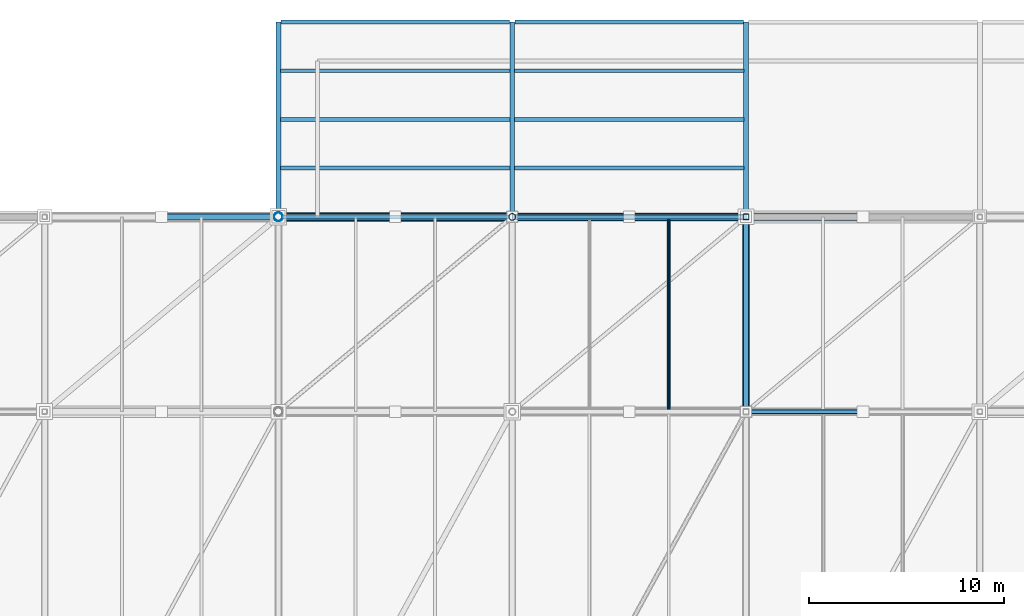
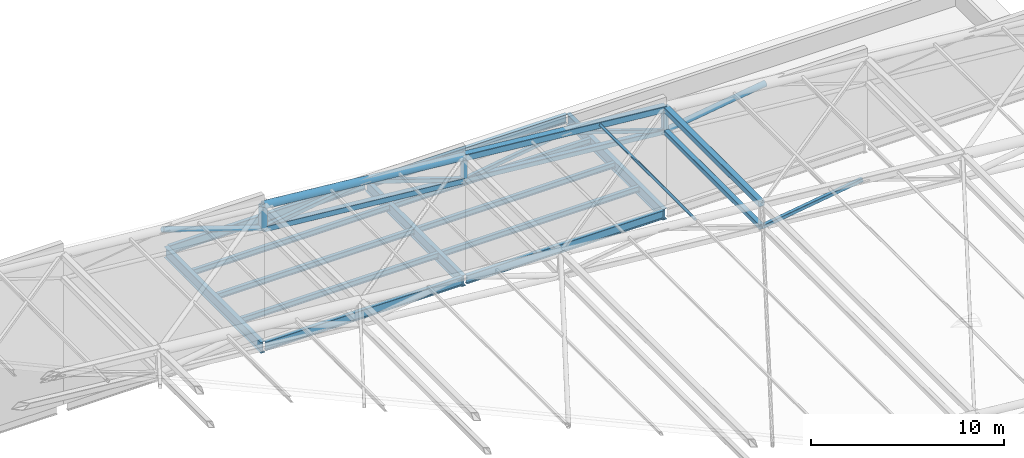
# One storey, part 33 of 44: 17 members, 13 beams.
"""IFC4 building model written with IfcOpenShell, lengths in metres."""

from ifc_helpers import new_model, si_unit, direction, frame, origin, origin_2d, place, context, subcontext, project, spatial, hollow_rectangle, hollow_circle, i_section, extrude, material, material_profile, profile_set, type_object, element, save


model = new_model("IFC4")

# Units and contexts
model_context = context("Model", 3, precision=1e-05, world=origin(), true_north=direction((0.0, 1.0)))
body_context = subcontext(model_context, "Body", "Model", "MODEL_VIEW")
ifc_project = project(units=[si_unit("LENGTHUNIT", "METRE"), si_unit("AREAUNIT", "SQUARE_METRE"), si_unit("VOLUMEUNIT", "CUBIC_METRE"), si_unit("PLANEANGLEUNIT", "RADIAN"), si_unit("MASSUNIT", "GRAM", prefix="KILO")], contexts=[model_context])

# Site, building, storey
site_placement = place(None, origin())
site = spatial("IfcSite", under=ifc_project, at=site_placement, CompositionType="ELEMENT")
building_placement = place(site_placement, origin())
building = spatial("IfcBuilding", under=site, at=building_placement, Name="Brinegate Civic Arena", CompositionType="ELEMENT")
storey_placement = place(building_placement, frame((0.0, 0.0, 29.39990234375)))
storey = spatial("IfcBuildingStorey", under=building, at=storey_placement, Name="RF", CompositionType="ELEMENT", Elevation=29.39990234375)

# Beams
ifc_material = material(Name="Steel S355", Category="steel")
ifc_material_profile_1 = material_profile(ifc_material, i_section(OverallWidth=0.256103515625, OverallDepth=0.693115234375, WebThickness=0.014892578125, FlangeThickness=0.02392578125, FilletRadius=0.01806640625, at=origin_2d()), Name="W690X170")
ifc_profile_set_1 = profile_set([ifc_material_profile_1], Name="Steel S355")
beam_type_1 = type_object("IfcBeamType", Name="GIRDER-W690X170", PredefinedType="BEAM", material=ifc_profile_set_1)
for number, where, z_axis, x_axis, name in (
    (1, (84.0, 114.0, -0.685791015625), (0.0, 1.0, 0.0), (-1.0, 0.0, 0.0), "Portal Roof Girder PGY-01"),
    (2, (96.0, 114.0, -0.685791015625), (0.0, 1.0, 0.0), (-1.0, 0.0, 0.0), "Portal Roof Girder PGY-02"),
    (3, (108.0, 114.0, -0.685791015625), (0.0, 1.0, 0.0), (-1.0, 0.0, 0.0), "Portal Roof Girder PGY-03"),
):
    element("IfcBeam", number, at=place(storey_placement, frame(where, z_axis=z_axis, x_axis=x_axis)), inside=storey, type_object=beam_type_1, Name=name, PredefinedType="BEAM", context=body_context, shape_type="SweptSolid", body=[
        extrude(i_section(OverallWidth=0.256103515625, OverallDepth=0.693115234375, WebThickness=0.014892578125, FlangeThickness=0.02392578125, FilletRadius=0.01806640625, at=origin_2d()), origin(), (0.0, 0.0, 1.0), 10.0),
    ])
ifc_material_profile_2 = material_profile(ifc_material, i_section(OverallWidth=0.202880859375, OverallDepth=0.346923828125, WebThickness=0.008056640625, FlangeThickness=0.013916015625, FilletRadius=0.013916015625, at=origin_2d()), Name="W360X64")
ifc_profile_set_2 = profile_set([ifc_material_profile_2], Name="Steel S355")
beam_type_2 = type_object("IfcBeamType", Name="JOIST-W360X64", PredefinedType="JOIST", material=ifc_profile_set_2)
for number, where, z_axis, x_axis, name in (
    (4, (84.10791015625, 116.5, -0.512939453125), (1.0, 0.0, 0.0), (0.0, 1.0, 0.0), "Portal Roof Joist PJX-08"),
    (5, (84.10791015625, 119.0, -0.512939453125), (1.0, 0.0, 0.0), (0.0, 1.0, 0.0), "Portal Roof Joist PJX-09"),
    (6, (84.10791015625, 121.5, -0.512939453125), (1.0, 0.0, 0.0), (0.0, 1.0, 0.0), "Portal Roof Joist PJX-10"),
    (7, (96.10791015625, 116.5, -0.512939453125), (1.0, 0.0, 0.0), (0.0, 1.0, 0.0), "Portal Roof Joist PJX-13"),
    (8, (96.10791015625, 119.0, -0.512939453125), (1.0, 0.0, 0.0), (0.0, 1.0, 0.0), "Portal Roof Joist PJX-14"),
    (9, (96.10791015625, 121.5, -0.512939453125), (1.0, 0.0, 0.0), (0.0, 1.0, 0.0), "Portal Roof Joist PJX-15"),
):
    element("IfcBeam", number, at=place(storey_placement, frame(where, z_axis=z_axis, x_axis=x_axis)), inside=storey, type_object=beam_type_2, Name=name, PredefinedType="JOIST", context=body_context, shape_type="SweptSolid", body=[
        extrude(i_section(OverallWidth=0.202880859375, OverallDepth=0.346923828125, WebThickness=0.008056640625, FlangeThickness=0.013916015625, FilletRadius=0.013916015625, at=origin_2d()), origin(), (0.0, 0.0, 1.0), 11.7841796875),
    ])

# Members
ifc_material_profile_3 = material_profile(ifc_material, hollow_circle(Radius=0.083984375, WallThickness=0.008056640625, at=origin_2d()), Name="CHS168X8")
ifc_profile_set_3 = profile_set([ifc_material_profile_3], Name="Steel S355")
member_type_1 = type_object("IfcMemberType", Name="RF-PURLIN-CHS168", PredefinedType="PURLIN", material=ifc_profile_set_3)
member_1_placement = place(storey_placement, frame((104.0400390625, 104.0, 6.4521484375), z_axis=(0.0, 1.0, 0.0), x_axis=(-1.0, 0.0, 0.0)))
element("IfcMember", 10, at=member_1_placement, inside=storey, type_object=member_type_1, Name="Roof Purlin RFP-118", PredefinedType="PURLIN", context=body_context, shape_type="SweptSolid", body=[
    extrude(hollow_circle(Radius=0.083984375, WallThickness=0.008056640625, at=origin_2d()), origin(), (0.0, 0.0, 1.0), 10.0),
])
ifc_material_profile_4 = material_profile(ifc_material, hollow_circle(Radius=0.162109375, WallThickness=0.011962890625, at=origin_2d()), Name="CHS324X12")
ifc_profile_set_4 = profile_set([ifc_material_profile_4], Name="Steel S355")
member_type_2 = type_object("IfcMemberType", Name="SF-BRACE-CHS324", PredefinedType="BRACE", material=ifc_profile_set_4)
member_2_placement = place(storey_placement, frame((78.0, 114.0, 8.863037109375), z_axis=(0.948068139281, 0.0, -0.318067293635), x_axis=(0.0, 1.0, 0.0)))
element("IfcMember", 11, at=member_2_placement, inside=storey, type_object=member_type_2, Name="Space Frame Web Brace D2-8-3", PredefinedType="BRACE", context=body_context, shape_type="SweptSolid", body=[
    extrude(hollow_circle(Radius=0.162109375, WallThickness=0.011962890625, at=origin_2d()), origin(), (0.0, 0.0, 1.0), 6.32861328125),
])
ifc_material_profile_5 = material_profile(ifc_material, hollow_circle(Radius=0.177978515625, WallThickness=0.013916015625, at=origin_2d()), Name="CHS356X14")
ifc_profile_set_5 = profile_set([ifc_material_profile_5], Name="Steel S355")
member_type_3 = type_object("IfcMemberType", Name="SF-BRACE-CHS356", PredefinedType="BRACE", material=ifc_profile_set_5)
member_3_placement = place(storey_placement, frame((108.0, 114.0, 4.60009765625), z_axis=(0.989226142737, 0.0, 0.1463954867), x_axis=(0.0, 1.0, 0.0)))
element("IfcMember", 12, at=member_3_placement, inside=storey, type_object=member_type_3, Name="Space Frame Web Brace D1-8-6", PredefinedType="BRACE", context=body_context, shape_type="SweptSolid", body=[
    extrude(hollow_circle(Radius=0.177978515625, WallThickness=0.013916015625, at=origin_2d()), origin(), (0.0, 0.0, 1.0), 6.0654296875),
])
ifc_material_profile_6 = material_profile(ifc_material, hollow_rectangle(XDim=0.219970703125, YDim=0.219970703125, WallThickness=0.011962890625, InnerFilletRadius=0.011962890625, OuterFilletRadius=0.02392578125, at=origin_2d()), Name="SHS220X12")
ifc_profile_set_6 = profile_set([ifc_material_profile_6], Name="Steel S355")
member_type_4 = type_object("IfcMemberType", Name="SF-BRACE-SHS220", PredefinedType="BRACE", material=ifc_profile_set_6)
for number, where, z_axis, x_axis, name in (
    (13, (108.0, 104.0, 4.60009765625), (0.989226142737, 0.0, 0.1463954867), (0.0, 1.0, 0.0), "Space Frame Web Brace D1-7-6"),
    (14, (96.0, 114.0, 5.72509765625), (0.989226142737, 0.0, 0.1463954867), (0.0, 1.0, 0.0), "Space Frame Web Brace D1-8-5"),
):
    element("IfcMember", number, at=place(storey_placement, frame(where, z_axis=z_axis, x_axis=x_axis)), inside=storey, type_object=member_type_4, Name=name, PredefinedType="BRACE", context=body_context, shape_type="SweptSolid", body=[
        extrude(hollow_rectangle(XDim=0.219970703125, YDim=0.219970703125, WallThickness=0.011962890625, InnerFilletRadius=0.011962890625, OuterFilletRadius=0.02392578125, at=origin_2d()), origin(), (0.0, 0.0, 1.0), 6.0654296875),
    ])
member_4_placement = place(storey_placement, frame((102.0, 114.0, 6.613037109375), z_axis=(0.948068139281, 0.0, -0.318067293635), x_axis=(0.0, 1.0, 0.0)))
element("IfcMember", 15, at=member_4_placement, inside=storey, type_object=member_type_4, Name="Space Frame Web Brace D2-8-5", PredefinedType="BRACE", context=body_context, shape_type="SweptSolid", body=[
    extrude(hollow_rectangle(XDim=0.219970703125, YDim=0.219970703125, WallThickness=0.011962890625, InnerFilletRadius=0.011962890625, OuterFilletRadius=0.02392578125, at=origin_2d()), origin(), (0.0, 0.0, 1.0), 6.32861328125),
])
ifc_material_profile_7 = material_profile(ifc_material, hollow_rectangle(XDim=0.25, YDim=0.25, WallThickness=0.011962890625, InnerFilletRadius=0.011962890625, OuterFilletRadius=0.02392578125, at=origin_2d()), Name="SHS250X12")
ifc_profile_set_7 = profile_set([ifc_material_profile_7], Name="Steel S355")
member_type_5 = type_object("IfcMemberType", Name="SF-BRACE-SHS250", PredefinedType="BRACE", material=ifc_profile_set_7)
member_5_placement = place(storey_placement, frame((84.0, 114.0, 6.85009765625), z_axis=(0.989226142737, 0.0, 0.1463954867), x_axis=(0.0, 1.0, 0.0)))
element("IfcMember", 16, at=member_5_placement, inside=storey, type_object=member_type_5, Name="Space Frame Web Brace D1-8-4", PredefinedType="BRACE", context=body_context, shape_type="SweptSolid", body=[
    extrude(hollow_rectangle(XDim=0.25, YDim=0.25, WallThickness=0.011962890625, InnerFilletRadius=0.011962890625, OuterFilletRadius=0.02392578125, at=origin_2d()), origin(), (0.0, 0.0, 1.0), 6.0654296875),
])
member_6_placement = place(storey_placement, frame((90.0, 114.0, 7.738037109375), z_axis=(0.948068139281, 0.0, -0.318067293635), x_axis=(0.0, 1.0, 0.0)))
element("IfcMember", 17, at=member_6_placement, inside=storey, type_object=member_type_5, Name="Space Frame Web Brace D2-8-4", PredefinedType="BRACE", context=body_context, shape_type="SweptSolid", body=[
    extrude(hollow_rectangle(XDim=0.25, YDim=0.25, WallThickness=0.011962890625, InnerFilletRadius=0.011962890625, OuterFilletRadius=0.02392578125, at=origin_2d()), origin(), (0.0, 0.0, 1.0), 6.32861328125),
])
ifc_material_profile_8 = material_profile(ifc_material, hollow_circle(Radius=0.228515625, WallThickness=0.01611328125, at=origin_2d()), Name="CHS457X16")
ifc_profile_set_8 = profile_set([ifc_material_profile_8], Name="Steel S355")
member_type_6 = type_object("IfcMemberType", Name="SF-CHORD-CHS457", PredefinedType="CHORD", material=ifc_profile_set_8)
member_7_placement = place(storey_placement, frame((84.0, 114.0, 8.300048828125), z_axis=(0.995634226059, 0.0, -0.093340708693), x_axis=(0.0, 1.0, 0.0)))
element("IfcMember", 18, at=member_7_placement, inside=storey, type_object=member_type_6, Name="Space Frame Top Chord TX-8-4", PredefinedType="CHORD", context=body_context, shape_type="SweptSolid", body=[
    extrude(hollow_circle(Radius=0.228515625, WallThickness=0.01611328125, at=origin_2d()), origin(), (0.0, 0.0, 1.0), 12.052734375),
])
ifc_material_profile_9 = material_profile(ifc_material, hollow_rectangle(XDim=0.300048828125, YDim=0.300048828125, WallThickness=0.01611328125, InnerFilletRadius=0.01611328125, OuterFilletRadius=0.031982421875, at=origin_2d()), Name="SHS300X16")
ifc_profile_set_9 = profile_set([ifc_material_profile_9], Name="Steel S355")
member_type_7 = type_object("IfcMemberType", Name="SF-CHORD-SHS300", PredefinedType="CHORD", material=ifc_profile_set_9)
member_8_placement = place(storey_placement, frame((96.0, 114.0, 5.72509765625), z_axis=(0.995634226059, 0.0, -0.093340708693), x_axis=(0.0, 1.0, 0.0)))
element("IfcMember", 19, at=member_8_placement, inside=storey, type_object=member_type_7, Name="Space Frame Bottom Chord BX-8-5", PredefinedType="CHORD", context=body_context, shape_type="SweptSolid", body=[
    extrude(hollow_rectangle(XDim=0.300048828125, YDim=0.300048828125, WallThickness=0.01611328125, InnerFilletRadius=0.01611328125, OuterFilletRadius=0.031982421875, at=origin_2d()), origin(), (0.0, 0.0, 1.0), 12.052734375),
])
member_9_placement = place(storey_placement, frame((108.0, 104.0, 4.60009765625), z_axis=(0.0, 1.0, 0.0), x_axis=(-1.0, 0.0, 0.0)))
element("IfcMember", 20, at=member_9_placement, inside=storey, type_object=member_type_7, Name="Space Frame Cross Bottom Chord BY-7-6", PredefinedType="CHORD", context=body_context, shape_type="SweptSolid", body=[
    extrude(hollow_rectangle(XDim=0.300048828125, YDim=0.300048828125, WallThickness=0.01611328125, InnerFilletRadius=0.01611328125, OuterFilletRadius=0.031982421875, at=origin_2d()), origin(), (0.0, 0.0, 1.0), 10.0),
])
ifc_material_profile_10 = material_profile(ifc_material, hollow_rectangle(XDim=0.35009765625, YDim=0.35009765625, WallThickness=0.01611328125, InnerFilletRadius=0.01611328125, OuterFilletRadius=0.031982421875, at=origin_2d()), Name="SHS350X16")
ifc_profile_set_10 = profile_set([ifc_material_profile_10], Name="Steel S355")
member_type_8 = type_object("IfcMemberType", Name="SF-CHORD-SHS350", PredefinedType="CHORD", material=ifc_profile_set_10)
member_10_placement = place(storey_placement, frame((84.0, 114.0, 6.85009765625), z_axis=(0.995634226059, 0.0, -0.093340708693), x_axis=(0.0, 1.0, 0.0)))
element("IfcMember", 21, at=member_10_placement, inside=storey, type_object=member_type_8, Name="Space Frame Bottom Chord BX-8-4", PredefinedType="CHORD", context=body_context, shape_type="SweptSolid", body=[
    extrude(hollow_rectangle(XDim=0.35009765625, YDim=0.35009765625, WallThickness=0.01611328125, InnerFilletRadius=0.01611328125, OuterFilletRadius=0.031982421875, at=origin_2d()), origin(), (0.0, 0.0, 1.0), 12.052734375),
])
member_11_placement = place(storey_placement, frame((108.0, 104.0, 6.050048828125), z_axis=(0.0, 1.0, 0.0), x_axis=(-1.0, 0.0, 0.0)))
element("IfcMember", 22, at=member_11_placement, inside=storey, type_object=member_type_8, Name="Space Frame Cross Top Chord TY-7-6", PredefinedType="CHORD", context=body_context, shape_type="SweptSolid", body=[
    extrude(hollow_rectangle(XDim=0.35009765625, YDim=0.35009765625, WallThickness=0.01611328125, InnerFilletRadius=0.01611328125, OuterFilletRadius=0.031982421875, at=origin_2d()), origin(), (0.0, 0.0, 1.0), 10.0),
])
ifc_material_profile_11 = material_profile(ifc_material, hollow_rectangle(XDim=0.39990234375, YDim=0.39990234375, WallThickness=0.02001953125, InnerFilletRadius=0.02001953125, OuterFilletRadius=0.0400390625, at=origin_2d()), Name="SHS400X20")
ifc_profile_set_11 = profile_set([ifc_material_profile_11], Name="Steel S355")
member_type_9 = type_object("IfcMemberType", Name="SF-CHORD-SHS400", PredefinedType="CHORD", material=ifc_profile_set_11)
member_12_placement = place(storey_placement, frame((96.0, 114.0, 7.175048828125), z_axis=(0.995634226059, 0.0, -0.093340708693), x_axis=(0.0, 1.0, 0.0)))
element("IfcMember", 23, at=member_12_placement, inside=storey, type_object=member_type_9, Name="Space Frame Top Chord TX-8-5", PredefinedType="CHORD", context=body_context, shape_type="SweptSolid", body=[
    extrude(hollow_rectangle(XDim=0.39990234375, YDim=0.39990234375, WallThickness=0.02001953125, InnerFilletRadius=0.02001953125, OuterFilletRadius=0.0400390625, at=origin_2d()), origin(), (0.0, 0.0, 1.0), 12.052734375),
])
ifc_material_profile_12 = material_profile(ifc_material, hollow_circle(Radius=0.177978515625, WallThickness=0.013916015625, at=origin_2d()), Name="CHS356X14")
ifc_profile_set_12 = profile_set([ifc_material_profile_12], Name="Steel S355")
member_type_10 = type_object("IfcMemberType", Name="SF-STRUT-CHS356", PredefinedType="STRUT", material=ifc_profile_set_12)
member_13_placement = place(storey_placement, frame((96.0, 114.0, 5.72509765625), z_axis=(0.0, 0.0, 1.0), x_axis=(1.0, 0.0, 0.0)))
element("IfcMember", 24, at=member_13_placement, inside=storey, type_object=member_type_10, Name="Space Frame Vertical Post V-8-5", PredefinedType="STRUT", context=body_context, shape_type="SweptSolid", body=[
    extrude(hollow_circle(Radius=0.177978515625, WallThickness=0.013916015625, at=origin_2d()), origin(), (0.0, 0.0, 1.0), 1.449951171875),
])
ifc_material_profile_13 = material_profile(ifc_material, hollow_circle(Radius=0.228515625, WallThickness=0.01611328125, at=origin_2d()), Name="CHS457X16")
ifc_profile_set_13 = profile_set([ifc_material_profile_13], Name="Steel S355")
member_type_11 = type_object("IfcMemberType", Name="SF-STRUT-CHS457", PredefinedType="STRUT", material=ifc_profile_set_13)
member_14_placement = place(storey_placement, frame((84.0, 114.0, 6.85009765625), z_axis=(0.0, 0.0, 1.0), x_axis=(1.0, 0.0, 0.0)))
element("IfcMember", 25, at=member_14_placement, inside=storey, type_object=member_type_11, Name="Space Frame Vertical Post V-8-4", PredefinedType="STRUT", context=body_context, shape_type="SweptSolid", body=[
    extrude(hollow_circle(Radius=0.228515625, WallThickness=0.01611328125, at=origin_2d()), origin(), (0.0, 0.0, 1.0), 1.449951171875),
])
ifc_material_profile_14 = material_profile(ifc_material, hollow_rectangle(XDim=0.300048828125, YDim=0.300048828125, WallThickness=0.01611328125, InnerFilletRadius=0.01611328125, OuterFilletRadius=0.031982421875, at=origin_2d()), Name="SHS300X16")
ifc_profile_set_14 = profile_set([ifc_material_profile_14], Name="Steel S355")
member_type_12 = type_object("IfcMemberType", Name="SF-STRUT-SHS300", PredefinedType="STRUT", material=ifc_profile_set_14)
member_15_placement = place(storey_placement, frame((108.0, 114.0, 4.60009765625), z_axis=(0.0, 0.0, 1.0), x_axis=(1.0, 0.0, 0.0)))
element("IfcMember", 26, at=member_15_placement, inside=storey, type_object=member_type_12, Name="Space Frame Vertical Post V-8-6", PredefinedType="STRUT", context=body_context, shape_type="SweptSolid", body=[
    extrude(hollow_rectangle(XDim=0.300048828125, YDim=0.300048828125, WallThickness=0.01611328125, InnerFilletRadius=0.01611328125, OuterFilletRadius=0.031982421875, at=origin_2d()), origin(), (0.0, 0.0, 1.0), 1.449951171875),
])

# Beams
ifc_material_profile_15 = material_profile(ifc_material, i_section(OverallWidth=0.2119140625, OverallDepth=0.5439453125, WebThickness=0.012939453125, FlangeThickness=0.02099609375, FilletRadius=0.01611328125, at=origin_2d()), Name="W530X123")
ifc_profile_set_15 = profile_set([ifc_material_profile_15], Name="Steel S355")
beam_type_3 = type_object("IfcBeamType", Name="SPANDREL-W530X123", PredefinedType="SPANDREL", material=ifc_profile_set_15)
for number, where, z_axis, x_axis, name in (
    (27, (84.1298828125, 114.0, -0.61181640625), (1.0, 0.0, 0.0), (0.0, 1.0, 0.0), "Portal Roof Spandrel PGX-06"),
    (28, (84.1298828125, 124.0, -0.61181640625), (1.0, 0.0, 0.0), (0.0, 1.0, 0.0), "Portal Roof Spandrel PGX-07"),
    (29, (96.1298828125, 114.0, -0.61181640625), (1.0, 0.0, 0.0), (0.0, 1.0, 0.0), "Portal Roof Spandrel PGX-11"),
    (30, (96.1298828125, 124.0, -0.61181640625), (1.0, 0.0, 0.0), (0.0, 1.0, 0.0), "Portal Roof Spandrel PGX-12"),
):
    element("IfcBeam", number, at=place(storey_placement, frame(where, z_axis=z_axis, x_axis=x_axis)), inside=storey, type_object=beam_type_3, Name=name, PredefinedType="SPANDREL", context=body_context, shape_type="SweptSolid", body=[
        extrude(i_section(OverallWidth=0.2119140625, OverallDepth=0.5439453125, WebThickness=0.012939453125, FlangeThickness=0.02099609375, FilletRadius=0.01611328125, at=origin_2d()), origin(), (0.0, 0.0, 1.0), 11.740234375),
    ])

save(model, "model.ifc")
